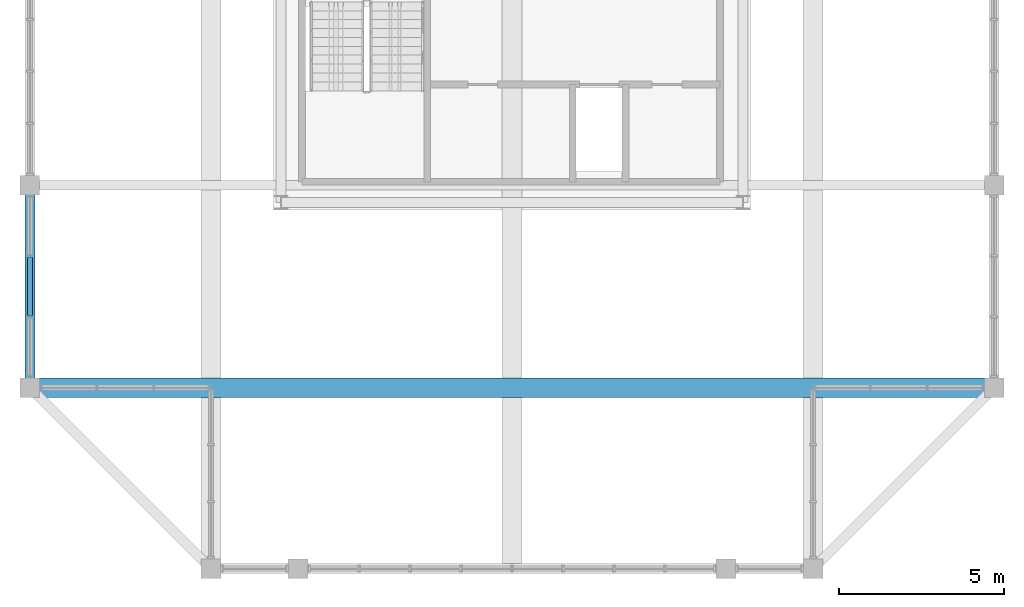
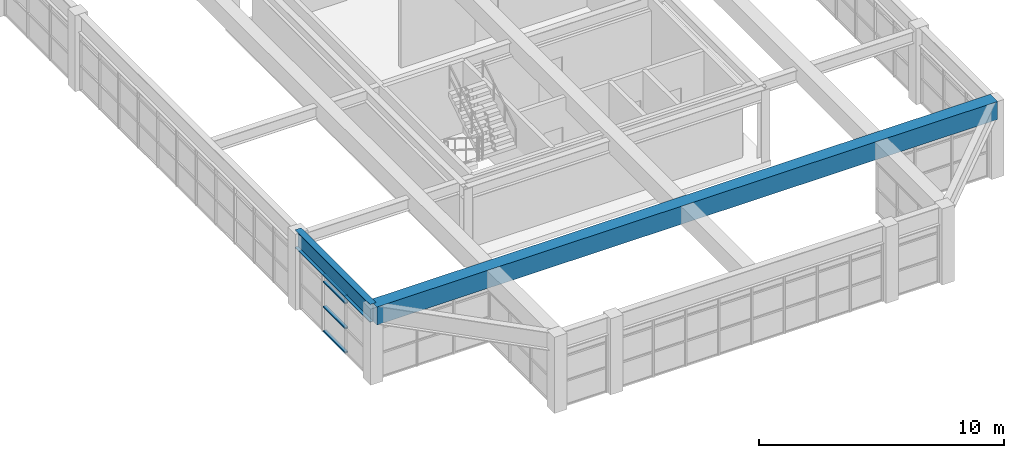
# One storey, part 4 of 28: 4 members, 2 beams, 1 element without a shape of its own.
"""IFC4 building model written with IfcOpenShell, lengths in metres."""

from ifc_helpers import new_model, si_unit, direction, frame, origin, origin_2d, place, context, subcontext, project, spatial, rectangle, hollow_rectangle, i_section, extrude, source, transform, mapped, material, layer, layer_set, material_profile, profile_set, type_object, element, aggregate, save


model = new_model("IFC4")

# Units and contexts
model_context = context("Model", 3, precision=1e-05, world=origin(), true_north=direction((0.0, 1.0)))
body_context = subcontext(model_context, "Body", "Model", "MODEL_VIEW")
ifc_project = project(units=[si_unit("LENGTHUNIT", "METRE"), si_unit("AREAUNIT", "SQUARE_METRE"), si_unit("VOLUMEUNIT", "CUBIC_METRE"), si_unit("PLANEANGLEUNIT", "RADIAN"), si_unit("MASSUNIT", "GRAM", prefix="KILO")], contexts=[model_context])

# Site, building, storey
site_placement = place(None, origin())
site = spatial("IfcSite", under=ifc_project, at=site_placement, CompositionType="ELEMENT")
building_placement = place(site_placement, origin())
building = spatial("IfcBuilding", under=site, at=building_placement, Name="Saelheon Loggia Tower", CompositionType="ELEMENT")
storey_placement = place(building_placement, frame((0.0, 0.0, 271.199951171875)))
storey = spatial("IfcBuildingStorey", under=building, at=storey_placement, Name="CR6", CompositionType="ELEMENT", Elevation=271.199951171875)

# Beams
ifc_material_1 = material(Name="Steel SM355", Category="steel")
ifc_material_profile_1 = material_profile(ifc_material_1, i_section(OverallWidth=0.300048828125, OverallDepth=0.89990234375, WebThickness=0.01611328125, FlangeThickness=0.028076171875, at=origin_2d()), Name="H-900x300x16x28")
ifc_profile_set_1 = profile_set([ifc_material_profile_1], Name="Steel SM355")
beam_type_1 = type_object("IfcBeamType", Name="Beam_PoolGirder_Steel_H900", PredefinedType="BEAM", material=ifc_profile_set_1)
shared_shape_1 = source(origin(), body_context, "Body", "SweptSolid", [
    extrude(i_section(OverallWidth=0.300048828125, OverallDepth=0.89990234375, WebThickness=0.01611328125, FlangeThickness=0.028076171875, at=origin_2d()), origin(), (0.0, 0.0, 1.0), 6.14990234375),
])
beam_1_placement = place(storey_placement, frame((23.35009765625, 18.0, 3.35009765625), z_axis=(0.0, -1.0, 0.0), x_axis=(1.0, 0.0, 0.0)))
element("IfcBeam", 1, at=beam_1_placement, inside=storey, type_object=beam_type_1, Name="CR6 CROWN FRAME Sill Girder 15", PredefinedType="BEAM", context=body_context, shape_type="MappedRepresentation", body=[
    mapped(shared_shape_1, transform((0.0, 0.0, 0.0), scale=1.0)),
])
ifc_material_2 = material(Name="Precast Concrete C45/55", Category="concrete")
ifc_material_profile_2 = material_profile(ifc_material_2, rectangle(XDim=0.60009765625, YDim=0.89990234375, at=origin_2d()), Name="RC-600x900")
ifc_profile_set_2 = profile_set([ifc_material_profile_2], Name="Precast Concrete C45/55")
beam_type_2 = type_object("IfcBeamType", Name="CrownFrame_Ring_RC600x900", PredefinedType="BEAM", material=ifc_profile_set_2)
shared_shape_2 = source(origin(), body_context, "Body", "SweptSolid", [
    extrude(rectangle(XDim=0.60009765625, YDim=0.89990234375, at=origin_2d()), origin(), (0.0, 0.0, 1.0), 29.2998046875),
])
beam_2_placement = place(storey_placement, frame((23.35009765625, 11.85009765625, 3.35009765625), z_axis=(1.0, 0.0, 0.0), x_axis=(0.0, 1.0, 0.0)))
element("IfcBeam", 2, at=beam_2_placement, inside=storey, type_object=beam_type_2, Name="CF-RING-CR6-RAF-S", PredefinedType="BEAM", context=body_context, shape_type="MappedRepresentation", body=[
    mapped(shared_shape_2, transform((0.0, 0.0, 0.0), scale=1.0)),
])

# Curtain wall, members
ifc_material_3 = material(Name="Bronze-Anodised Aluminium and Fritted Ceramic Screen", Category="aluminium")
ifc_layer = layer(ifc_material_3, 0.219970703125)
ifc_layer_set = layer_set([ifc_layer], Name="Bronze-Anodised Aluminium and Fritted Ceramic Screen")
curtain_wall_type = type_object("IfcCurtainWallType", Name="CW_CrownScreen", PredefinedType="NOTDEFINED", material=ifc_layer_set)
curtain_wall_placement = place(storey_placement, origin())
curtain_wall = element("IfcCurtainWall", 3, at=curtain_wall_placement, inside=storey, type_object=curtain_wall_type, Name="CR6 Crown Screen Curtain Wall 9-3", PredefinedType="NOTDEFINED")
ifc_material_4 = material(Name="Bronze-Anodised Aluminium 6063-T6", Category="aluminium")
ifc_material_profile_3 = material_profile(ifc_material_4, hollow_rectangle(XDim=0.070068359375, YDim=0.14990234375, WallThickness=0.0048828125, at=origin_2d()), Name="RHS-150x70x5")
ifc_profile_set_3 = profile_set([ifc_material_profile_3], Name="Bronze-Anodised Aluminium 6063-T6")
member_type = type_object("IfcMemberType", Name="CW_CrownScreen_Transom", PredefinedType="USERDEFINED", material=ifc_profile_set_3)
shared_shape_3 = source(origin(), body_context, "Body", "SweptSolid", [
    extrude(hollow_rectangle(XDim=0.070068359375, YDim=0.14990234375, WallThickness=0.0048828125, at=origin_2d()), origin(), (0.0, 0.0, 1.0), 1.780029296875),
])
member_1_placement = place(storey_placement, frame((23.35009765625, 15.81494140625, 0.03515625), z_axis=(0.0, -1.0, 0.0), x_axis=(0.0, 0.0, 1.0)))
member_1 = element("IfcMember", 4, at=member_1_placement, type_object=member_type, Name="CW6 transom 2.1", ObjectType="TRANSOM", PredefinedType="USERDEFINED", context=body_context, shape_type="MappedRepresentation", body=[
    mapped(shared_shape_3, transform((0.0, 0.0, 0.0), scale=1.0)),
])
member_2_placement = place(storey_placement, frame((23.35009765625, 15.81494140625, 1.25), z_axis=(0.0, -1.0, 0.0), x_axis=(0.0, 0.0, 1.0)))
member_2 = element("IfcMember", 5, at=member_2_placement, type_object=member_type, Name="CW6 transom 2.2", ObjectType="TRANSOM", PredefinedType="USERDEFINED", context=body_context, shape_type="MappedRepresentation", body=[
    mapped(shared_shape_3, transform((0.0, 0.0, 0.0), scale=1.0)),
])
member_3_placement = place(storey_placement, frame((23.35009765625, 15.81494140625, 2.5), z_axis=(0.0, -1.0, 0.0), x_axis=(0.0, 0.0, 1.0)))
member_3 = element("IfcMember", 6, at=member_3_placement, type_object=member_type, Name="CW6 transom 2.3", ObjectType="TRANSOM", PredefinedType="USERDEFINED", context=body_context, shape_type="MappedRepresentation", body=[
    mapped(shared_shape_3, transform((0.0, 0.0, 0.0), scale=1.0)),
])
member_4_placement = place(storey_placement, frame((23.35009765625, 15.81494140625, 2.864990234375), z_axis=(0.0, -1.0, 0.0), x_axis=(0.0, 0.0, 1.0)))
member_4 = element("IfcMember", 7, at=member_4_placement, type_object=member_type, Name="CW6 transom 2.4", ObjectType="TRANSOM", PredefinedType="USERDEFINED", context=body_context, shape_type="MappedRepresentation", body=[
    mapped(shared_shape_3, transform((0.0, 0.0, 0.0), scale=1.0)),
])
aggregate(curtain_wall, [member_1, member_2, member_3, member_4])

save(model, "model.ifc")
